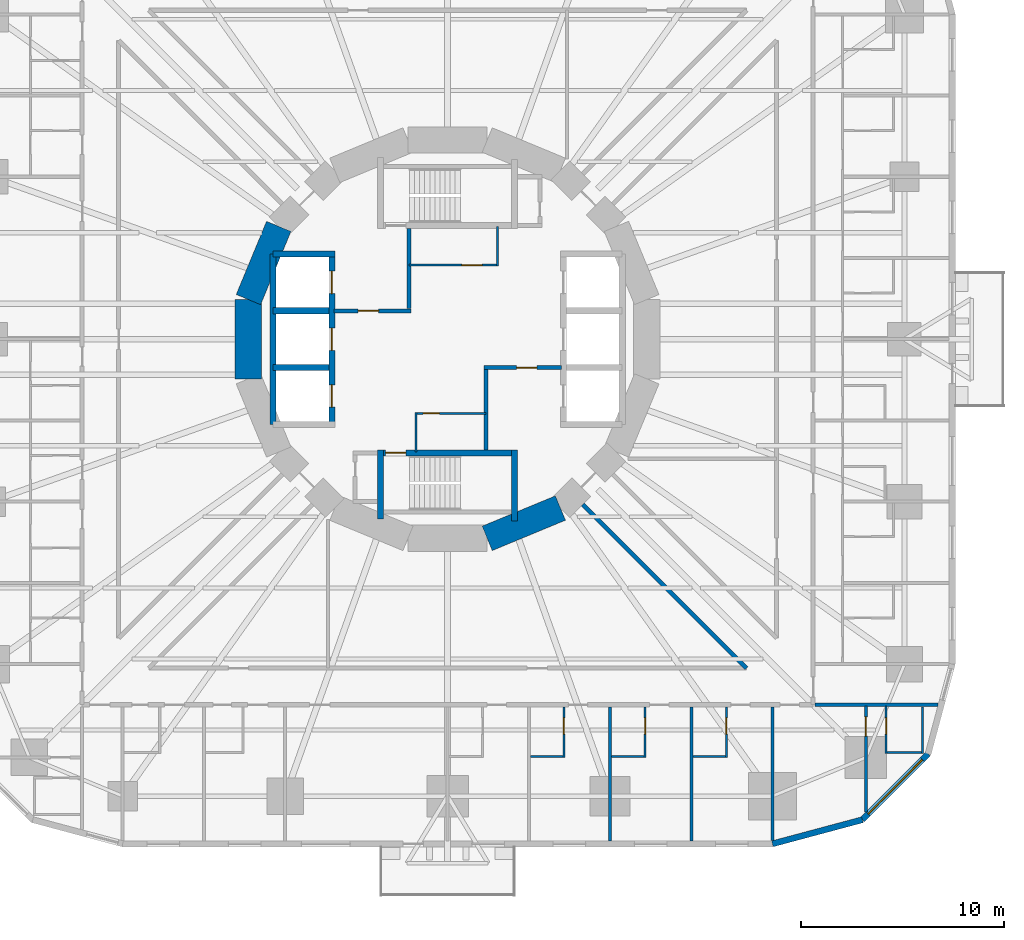
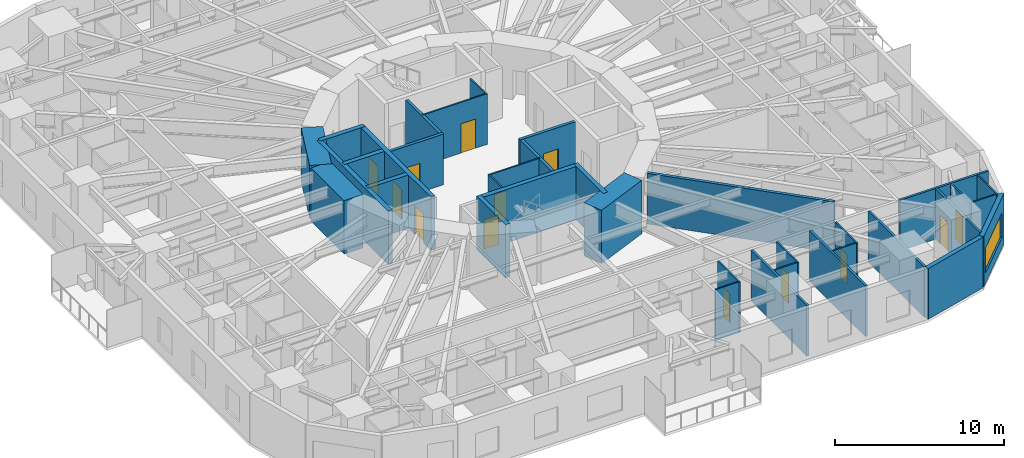
# One storey, part 7 of 14: 36 walls, 13 doors, 1 window, 14 openings.
"""IFC4 building model written with IfcOpenShell, lengths in metres."""

from ifc_helpers import new_model, si_unit, direction, frame, frame_2d, origin, place, context, subcontext, project, spatial, rectangle, extrude, material, layer, layer_set, type_object, element, fill, save


model = new_model("IFC4")

# Units and contexts
model_context = context("Model", 3, precision=1e-05, world=origin(), true_north=direction((0.0, 1.0)))
body_context = subcontext(model_context, "Body", "Model", "MODEL_VIEW")
ifc_project = project(units=[si_unit("LENGTHUNIT", "METRE"), si_unit("AREAUNIT", "SQUARE_METRE"), si_unit("VOLUMEUNIT", "CUBIC_METRE"), si_unit("PLANEANGLEUNIT", "RADIAN"), si_unit("MASSUNIT", "GRAM", prefix="KILO")], contexts=[model_context])

# Site, building, storey
site_placement = place(None, origin())
site = spatial("IfcSite", under=ifc_project, at=site_placement, CompositionType="ELEMENT")
building_placement = place(site_placement, origin())
building = spatial("IfcBuilding", under=site, at=building_placement, Name="Nakasero Lantern House", CompositionType="ELEMENT")
storey_placement = place(building_placement, frame((0.0, 0.0, 46.800048828125)))
storey = spatial("IfcBuildingStorey", under=building, at=storey_placement, Name="L11", CompositionType="ELEMENT", Elevation=46.800048828125)

# Wall, openings, doors
ifc_material_1 = material(Name="Concrete C50/60", Category="concrete")
ifc_layer_1 = layer(ifc_material_1, 0.300048828125)
ifc_layer_set_1 = layer_set([ifc_layer_1], Name="Core inner wall 300")
wall_type_1 = type_object("IfcWallType", Name="Core inner wall 300", PredefinedType="SHEAR", material=ifc_layer_set_1)
wall_1_placement = place(storey_placement, frame((-5.699951171875, -4.199951171875, 0.0), z_axis=(0.0, 0.0, 1.0), x_axis=(0.0, 1.0, 0.0)))
wall_1 = element("IfcWall", 1, at=wall_1_placement, inside=storey, type_object=wall_type_1, Name="Core inner wall L11 LW", PredefinedType="SHEAR", context=body_context, shape_type="SweptSolid", body=[
    extrude(rectangle(XDim=8.39990234375, YDim=0.300048828125, at=frame_2d((4.199951171875, 0.0))), origin(), (0.0, 0.0, 1.0), 3.849853515625),
])
opening_1_placement = place(wall_1_placement, frame((0.85009765625, 0.0, 0.0)))
opening_1 = element("IfcOpeningElement", 2, at=opening_1_placement, cuts=wall_1, Name="Opening LD", PredefinedType="OPENING", context=body_context, shape_type="SweptSolid", body=[
    extrude(rectangle(XDim=1.10009765625, YDim=2.10009765625, at=frame_2d((0.550048828125, 1.050048828125))), frame((0.0, 0.169921875, 0.0), z_axis=(0.0, -1.0, 0.0), x_axis=(1.0, 0.0, 0.0)), (0.0, 0.0, 1.0), 0.340087890625),
])
opening_2_placement = place(wall_1_placement, frame((3.64990234375, 0.0, 0.0)))
opening_2 = element("IfcOpeningElement", 3, at=opening_2_placement, cuts=wall_1, Name="Opening LD", PredefinedType="OPENING", context=body_context, shape_type="SweptSolid", body=[
    extrude(rectangle(XDim=1.10009765625, YDim=2.10009765625, at=frame_2d((0.550048828125, 1.050048828125))), frame((0.0, 0.169921875, 0.0), z_axis=(0.0, -1.0, 0.0), x_axis=(1.0, 0.0, 0.0)), (0.0, 0.0, 1.0), 0.340087890625),
])
opening_3_placement = place(wall_1_placement, frame((6.449951171875, 0.0, 0.0)))
opening_3 = element("IfcOpeningElement", 4, at=opening_3_placement, cuts=wall_1, Name="Opening LD", PredefinedType="OPENING", context=body_context, shape_type="SweptSolid", body=[
    extrude(rectangle(XDim=1.10009765625, YDim=2.10009765625, at=frame_2d((0.550048828125, 1.050048828125))), frame((0.0, 0.169921875, 0.0), z_axis=(0.0, -1.0, 0.0), x_axis=(1.0, 0.0, 0.0)), (0.0, 0.0, 1.0), 0.340087890625),
])
ifc_material_2 = material(Name="Steel S355", Category="steel")
door_type_1 = type_object("IfcDoorType", Name="Lift landing door E120 1100", OperationType="SLIDING_TO_LEFT", PredefinedType="DOOR", material=ifc_material_2)
door_1_placement = place(opening_1_placement, origin())
door_1 = element("IfcDoor", 5, at=door_1_placement, inside=storey, type_object=door_type_1, Name="Lift landing door LW1", OperationType="SLIDING_TO_LEFT", OverallHeight=2.10009765625, OverallWidth=1.10009765625, PredefinedType="DOOR", context=body_context, shape_type="SweptSolid", body=[
    extrude(rectangle(XDim=1.10009765625, YDim=2.10009765625, at=frame_2d((0.550048828125, 1.050048828125))), frame((0.0, 0.02490234375, 0.0), z_axis=(0.0, -1.0, 0.0), x_axis=(1.0, 0.0, 0.0)), (0.0, 0.0, 1.0), 0.050048828125),
])
fill(opening_1, door_1)
door_2_placement = place(opening_2_placement, origin())
door_2 = element("IfcDoor", 6, at=door_2_placement, inside=storey, type_object=door_type_1, Name="Lift landing door LW2", OperationType="SLIDING_TO_LEFT", OverallHeight=2.10009765625, OverallWidth=1.10009765625, PredefinedType="DOOR", context=body_context, shape_type="SweptSolid", body=[
    extrude(rectangle(XDim=1.10009765625, YDim=2.10009765625, at=frame_2d((0.550048828125, 1.050048828125))), frame((0.0, 0.02490234375, 0.0), z_axis=(0.0, -1.0, 0.0), x_axis=(1.0, 0.0, 0.0)), (0.0, 0.0, 1.0), 0.050048828125),
])
fill(opening_2, door_2)
door_3_placement = place(opening_3_placement, origin())
door_3 = element("IfcDoor", 7, at=door_3_placement, inside=storey, type_object=door_type_1, Name="Lift landing door LW3", OperationType="SLIDING_TO_LEFT", OverallHeight=2.10009765625, OverallWidth=1.10009765625, PredefinedType="DOOR", context=body_context, shape_type="SweptSolid", body=[
    extrude(rectangle(XDim=1.10009765625, YDim=2.10009765625, at=frame_2d((0.550048828125, 1.050048828125))), frame((0.0, 0.02490234375, 0.0), z_axis=(0.0, -1.0, 0.0), x_axis=(1.0, 0.0, 0.0)), (0.0, 0.0, 1.0), 0.050048828125),
])
fill(opening_3, door_3)

# Walls
wall_2_placement = place(storey_placement, frame((-8.60009765625, 4.199951171875, 0.0), z_axis=(0.0, 0.0, 1.0), x_axis=(1.0, 0.0, 0.0)))
element("IfcWall", 8, at=wall_2_placement, inside=storey, type_object=wall_type_1, Name="Core inner wall L11 LWN", PredefinedType="SHEAR", context=body_context, shape_type="SweptSolid", body=[
    extrude(rectangle(XDim=3.050048828125, YDim=0.300048828125, at=frame_2d((1.52490234375, 0.0))), origin(), (0.0, 0.0, 1.0), 3.849853515625),
])
wall_3_placement = place(storey_placement, frame((-8.60009765625, -4.199951171875, 0.0), z_axis=(0.0, 0.0, 1.0), x_axis=(0.0, 1.0, 0.0)))
element("IfcWall", 9, at=wall_3_placement, inside=storey, type_object=wall_type_1, Name="Core inner wall L11 LWB", PredefinedType="SHEAR", context=body_context, shape_type="SweptSolid", body=[
    extrude(rectangle(XDim=8.39990234375, YDim=0.300048828125, at=frame_2d((4.199951171875, 0.0))), origin(), (0.0, 0.0, 1.0), 3.849853515625),
])
for number, where, z_axis, x_axis, name in (
    (10, (-8.60009765625, -1.39990234375, 0.0), (0.0, 0.0, 1.0), (1.0, 0.0, 0.0), "Core inner wall L11 LW1"),
    (11, (-8.60009765625, 1.39990234375, 0.0), (0.0, 0.0, 1.0), (1.0, 0.0, 0.0), "Core inner wall L11 LW2"),
):
    element("IfcWall", number, at=place(storey_placement, frame(where, z_axis=z_axis, x_axis=x_axis)), inside=storey, type_object=wall_type_1, Name=name, PredefinedType="SHEAR", context=body_context, shape_type="SweptSolid", body=[
        extrude(rectangle(XDim=2.75, YDim=0.300048828125, at=frame_2d((1.375, 0.0))), origin(), (0.0, 0.0, 1.0), 3.849853515625),
    ])

# Wall, opening, door
wall_4_placement = place(storey_placement, frame((-3.449951171875, -5.60009765625, 0.0), z_axis=(0.0, 0.0, 1.0), x_axis=(1.0, 0.0, 0.0)))
wall_4 = element("IfcWall", 12, at=wall_4_placement, inside=storey, type_object=wall_type_1, Name="Core inner wall L11 SS", PredefinedType="SHEAR", context=body_context, shape_type="SweptSolid", body=[
    extrude(rectangle(XDim=6.89990234375, YDim=0.300048828125, at=frame_2d((3.449951171875, 0.0))), origin(), (0.0, 0.0, 1.0), 3.849853515625),
])
opening_4_placement = place(wall_4_placement, frame((0.39990234375, 0.0, 0.0)))
opening_4 = element("IfcOpeningElement", 13, at=opening_4_placement, cuts=wall_4, Name="Opening D05", PredefinedType="OPENING", context=body_context, shape_type="SweptSolid", body=[
    extrude(rectangle(XDim=1.0, YDim=2.10009765625, at=frame_2d((0.5, 1.050048828125))), frame((0.0, 0.169921875, 0.0), z_axis=(0.0, -1.0, 0.0), x_axis=(1.0, 0.0, 0.0)), (0.0, 0.0, 1.0), 0.340087890625),
])
ifc_material_3 = material(Name="Timber C24", Category="wood")
door_type_2 = type_object("IfcDoorType", Name="Core door FD60S 1000", OperationType="SINGLE_SWING_LEFT", PredefinedType="DOOR", material=ifc_material_3)
door_4_placement = place(opening_4_placement, origin())
door_4 = element("IfcDoor", 14, at=door_4_placement, inside=storey, type_object=door_type_2, Name="Door L11 D-ST2", OperationType="SINGLE_SWING_LEFT", OverallHeight=2.10009765625, OverallWidth=1.0, PredefinedType="DOOR", context=body_context, shape_type="SweptSolid", body=[
    extrude(rectangle(XDim=1.0, YDim=2.10009765625, at=frame_2d((0.5, 1.050048828125))), frame((0.0, 0.02490234375, 0.0), z_axis=(0.0, -1.0, 0.0), x_axis=(1.0, 0.0, 0.0)), (0.0, 0.0, 1.0), 0.050048828125),
])
fill(opening_4, door_4)

# Walls
wall_5_placement = place(storey_placement, frame((-3.300048828125, -5.449951171875, 0.0), z_axis=(0.0, 0.0, 1.0), x_axis=(0.0, -1.0, 0.0)))
element("IfcWall", 15, at=wall_5_placement, inside=storey, type_object=wall_type_1, Name="Core inner wall L11 SSW", PredefinedType="SHEAR", context=body_context, shape_type="SweptSolid", body=[
    extrude(rectangle(XDim=3.400146484375, YDim=0.300048828125, at=frame_2d((1.7001953125, 0.0))), origin(), (0.0, 0.0, 1.0), 3.849853515625),
])
wall_6_placement = place(storey_placement, frame((3.300048828125, -5.449951171875, 0.0), z_axis=(0.0, 0.0, 1.0), x_axis=(0.0, -1.0, 0.0)))
element("IfcWall", 16, at=wall_6_placement, inside=storey, type_object=wall_type_1, Name="Core inner wall L11 SSE", PredefinedType="SHEAR", context=body_context, shape_type="SweptSolid", body=[
    extrude(rectangle(XDim=3.5, YDim=0.300048828125, at=frame_2d((1.75, 0.0))), origin(), (0.0, 0.0, 1.0), 3.849853515625),
])

# Wall, opening, door
ifc_material_4 = material(Name="Blockwork", Category="masonry")
ifc_layer_2 = layer(ifc_material_4, 0.10009765625)
ifc_layer_set_2 = layer_set([ifc_layer_2], Name="Core room wall 100")
wall_type_2 = type_object("IfcWallType", Name="Core room wall 100", PredefinedType="PARTITIONING", material=ifc_layer_set_2)
wall_7_placement = place(storey_placement, frame((-1.89990234375, 3.64990234375, 0.0), z_axis=(0.0, 0.0, 1.0), x_axis=(1.0, 0.0, 0.0)))
wall_7 = element("IfcWall", 17, at=wall_7_placement, inside=storey, type_object=wall_type_2, Name="Core room wall L11 CR-NES", PredefinedType="PARTITIONING", context=body_context, shape_type="SweptSolid", body=[
    extrude(rectangle(XDim=4.39990234375, YDim=0.10009765625, at=frame_2d((2.199951171875, 0.0))), origin(), (0.0, 0.0, 1.0), 3.64990234375),
])
opening_5_placement = place(wall_7_placement, frame((2.60009765625, 0.0, 0.0)))
opening_5 = element("IfcOpeningElement", 18, at=opening_5_placement, cuts=wall_7, Name="Opening D07", PredefinedType="OPENING", context=body_context, shape_type="SweptSolid", body=[
    extrude(rectangle(XDim=1.0, YDim=2.10009765625, at=frame_2d((0.5, 1.050048828125))), frame((0.0, 0.070068359375, 0.0), z_axis=(0.0, -1.0, 0.0), x_axis=(1.0, 0.0, 0.0)), (0.0, 0.0, 1.0), 0.14013671875),
])
ifc_material_5 = material(Name="Timber C24", Category="wood")
door_type_3 = type_object("IfcDoorType", Name="Room door FD30S 1000", OperationType="SINGLE_SWING_LEFT", PredefinedType="DOOR", material=ifc_material_5)
door_5_placement = place(opening_5_placement, origin())
door_5 = element("IfcDoor", 19, at=door_5_placement, inside=storey, type_object=door_type_3, Name="Door L11 D-CR-NE", OperationType="SINGLE_SWING_RIGHT", OverallHeight=2.10009765625, OverallWidth=1.0, PredefinedType="DOOR", context=body_context, shape_type="SweptSolid", body=[
    extrude(rectangle(XDim=1.0, YDim=2.10009765625, at=frame_2d((0.5, 1.050048828125))), frame((0.0, 0.02490234375, 0.0), z_axis=(0.0, -1.0, 0.0), x_axis=(1.0, 0.0, 0.0)), (0.0, 0.0, 1.0), 0.050048828125),
])
fill(opening_5, door_5)

# Wall
wall_8_placement = place(storey_placement, frame((2.449951171875, 3.60009765625, 0.0), z_axis=(0.0, 0.0, 1.0), x_axis=(0.0, 1.0, 0.0)))
element("IfcWall", 20, at=wall_8_placement, inside=storey, type_object=wall_type_2, Name="Core room wall L11 CR-NEE", PredefinedType="PARTITIONING", context=body_context, shape_type="SweptSolid", body=[
    extrude(rectangle(XDim=1.949951171875, YDim=0.10009765625, at=frame_2d((0.97509765625, 0.0))), origin(), (0.0, 0.0, 1.0), 3.64990234375),
])

# Wall, opening, door
wall_9_placement = place(storey_placement, frame((-1.60009765625, -3.64990234375, 0.0), z_axis=(0.0, 0.0, 1.0), x_axis=(1.0, 0.0, 0.0)))
wall_9 = element("IfcWall", 21, at=wall_9_placement, inside=storey, type_object=wall_type_2, Name="Core room wall L11 CR-SWN", PredefinedType="PARTITIONING", context=body_context, shape_type="SweptSolid", body=[
    extrude(rectangle(XDim=3.5, YDim=0.10009765625, at=frame_2d((1.75, 0.0))), origin(), (0.0, 0.0, 1.0), 3.64990234375),
])
opening_6_placement = place(wall_9_placement, frame((0.39990234375, 0.0, 0.0)))
opening_6 = element("IfcOpeningElement", 22, at=opening_6_placement, cuts=wall_9, Name="Opening D15", PredefinedType="OPENING", context=body_context, shape_type="SweptSolid", body=[
    extrude(rectangle(XDim=0.800048828125, YDim=2.10009765625, at=frame_2d((0.39990234375, 1.050048828125))), frame((0.0, 0.070068359375, 0.0), z_axis=(0.0, -1.0, 0.0), x_axis=(1.0, 0.0, 0.0)), (0.0, 0.0, 1.0), 0.14013671875),
])
ifc_material_6 = material(Name="Timber C24", Category="wood")
door_type_4 = type_object("IfcDoorType", Name="Cleaner's store door FD30S 800", OperationType="SINGLE_SWING_LEFT", PredefinedType="DOOR", material=ifc_material_6)
door_6_placement = place(opening_6_placement, origin())
door_6 = element("IfcDoor", 23, at=door_6_placement, inside=storey, type_object=door_type_4, Name="Door L11 D-CR-SW", OperationType="SINGLE_SWING_LEFT", OverallHeight=2.10009765625, OverallWidth=0.800048828125, PredefinedType="DOOR", context=body_context, shape_type="SweptSolid", body=[
    extrude(rectangle(XDim=0.800048828125, YDim=2.10009765625, at=frame_2d((0.39990234375, 1.050048828125))), frame((0.0, 0.02490234375, 0.0), z_axis=(0.0, -1.0, 0.0), x_axis=(1.0, 0.0, 0.0)), (0.0, 0.0, 1.0), 0.050048828125),
])
fill(opening_6, door_6)

# Walls
wall_10_placement = place(storey_placement, frame((-1.550048828125, -5.550048828125, 0.0), z_axis=(0.0, 0.0, 1.0), x_axis=(0.0, 1.0, 0.0)))
element("IfcWall", 24, at=wall_10_placement, inside=storey, type_object=wall_type_2, Name="Core room wall L11 CR-SWW", PredefinedType="PARTITIONING", context=body_context, shape_type="SweptSolid", body=[
    extrude(rectangle(XDim=1.949951171875, YDim=0.10009765625, at=frame_2d((0.97509765625, 0.0))), origin(), (0.0, 0.0, 1.0), 3.64990234375),
])
ifc_material_7 = material(Name="Concrete C50/60", Category="concrete")
ifc_layer_3 = layer(ifc_material_7, 1.300048828125)
ifc_layer_set_3 = layer_set([ifc_layer_3], Name="Core wall 1300")
wall_type_3 = type_object("IfcWallType", Name="Core wall 1300", PredefinedType="SHEAR", material=ifc_layer_set_3)
for number, where, z_axis, x_axis, name in (
    (25, (-8.314697265625, 5.5556640625, 0.0), (0.0, 0.0, 1.0), (-0.382690736062, -0.923876507187, 0.0), "Core wall L11 facet 7"),
    (26, (-9.807861328125, 1.950927734375, 0.0), (0.0, 0.0, 1.0), (0.0, -1.0, 0.0), "Core wall L11 facet 8"),
    (27, (1.950927734375, -9.807861328125, 0.0), (0.0, 0.0, 1.0), (0.923876507187, 0.382690736062, 0.0), "Core wall L11 facet 13"),
):
    element("IfcWall", number, at=place(storey_placement, frame(where, z_axis=z_axis, x_axis=x_axis)), inside=storey, type_object=wall_type_3, Name=name, PredefinedType="SHEAR", context=body_context, shape_type="SweptSolid", body=[
        extrude(rectangle(XDim=3.90185546875, YDim=1.300048828125, at=frame_2d((1.950927734375, 0.0))), origin(), (0.0, 0.0, 1.0), 3.849853515625),
    ])
ifc_material_8 = material(Name="Blockwork", Category="masonry")
ifc_layer_4 = layer(ifc_material_8, 0.199951171875)
ifc_layer_set_4 = layer_set([ifc_layer_4], Name="Corridor wall 200")
wall_type_4 = type_object("IfcWallType", Name="Corridor wall 200", PredefinedType="PARTITIONING", material=ifc_layer_set_4)
wall_11_placement = place(storey_placement, frame((6.65234375, -8.13720703125, 0.0), z_axis=(0.0, 0.0, 1.0), x_axis=(0.707106781187, -0.707106781187, 0.0)))
element("IfcWall", 28, at=wall_11_placement, inside=storey, type_object=wall_type_4, Name="Corridor wall L11 PS14b", PredefinedType="PARTITIONING", context=body_context, shape_type="SweptSolid", body=[
    extrude(rectangle(XDim=11.40234375, YDim=0.199951171875, at=frame_2d((5.701171875, 0.0))), origin(), (0.0, 0.0, 1.0), 3.64990234375),
])

# Wall, opening, door
ifc_material_9 = material(Name="Blockwork", Category="masonry")
ifc_layer_5 = layer(ifc_material_9, 0.10009765625)
ifc_layer_set_5 = layer_set([ifc_layer_5], Name="En-suite wall 100")
wall_type_5 = type_object("IfcWallType", Name="En-suite wall 100", PredefinedType="PARTITIONING", material=ifc_layer_set_5)
wall_12_placement = place(storey_placement, frame((5.72509765625, -18.10009765625, 0.0), z_axis=(0.0, 0.0, 1.0), x_axis=(0.0, -1.0, 0.0)))
wall_12 = element("IfcWall", 29, at=wall_12_placement, inside=storey, type_object=wall_type_5, Name="En-suite wall L11 ES3-06", PredefinedType="PARTITIONING", context=body_context, shape_type="SweptSolid", body=[
    extrude(rectangle(XDim=2.5, YDim=0.10009765625, at=frame_2d((1.25, 0.0))), origin(), (0.0, 0.0, 1.0), 3.64990234375),
])
opening_7_placement = place(wall_12_placement, frame((0.550048828125, 0.0, 0.0)))
opening_7 = element("IfcOpeningElement", 30, at=opening_7_placement, cuts=wall_12, Name="Opening D02", PredefinedType="OPENING", context=body_context, shape_type="SweptSolid", body=[
    extrude(rectangle(XDim=0.800048828125, YDim=2.10009765625, at=frame_2d((0.39990234375, 1.050048828125))), frame((0.0, 0.070068359375, 0.0), z_axis=(0.0, -1.0, 0.0), x_axis=(1.0, 0.0, 0.0)), (0.0, 0.0, 1.0), 0.14013671875),
])
ifc_material_10 = material(Name="Timber C24", Category="wood")
door_type_5 = type_object("IfcDoorType", Name="En-suite door 800", OperationType="SINGLE_SWING_RIGHT", PredefinedType="DOOR", material=ifc_material_10)
door_7_placement = place(opening_7_placement, origin())
door_7 = element("IfcDoor", 31, at=door_7_placement, inside=storey, type_object=door_type_5, Name="Door L11 DE3-06", OperationType="SINGLE_SWING_LEFT", OverallHeight=2.10009765625, OverallWidth=0.800048828125, PredefinedType="DOOR", context=body_context, shape_type="SweptSolid", body=[
    extrude(rectangle(XDim=0.800048828125, YDim=2.10009765625, at=frame_2d((0.39990234375, 1.050048828125))), frame((0.0, 0.02490234375, 0.0), z_axis=(0.0, -1.0, 0.0), x_axis=(1.0, 0.0, 0.0)), (0.0, 0.0, 1.0), 0.050048828125),
])
fill(opening_7, door_7)

# Wall
wall_13_placement = place(storey_placement, frame((4.074951171875, -20.550048828125, 0.0), z_axis=(0.0, 0.0, 1.0), x_axis=(1.0, 0.0, 0.0)))
element("IfcWall", 32, at=wall_13_placement, inside=storey, type_object=wall_type_5, Name="En-suite wall L11 EE3-06", PredefinedType="PARTITIONING", context=body_context, shape_type="SweptSolid", body=[
    extrude(rectangle(XDim=1.60009765625, YDim=0.10009765625, at=frame_2d((0.800048828125, 0.0))), origin(), (0.0, 0.0, 1.0), 3.64990234375),
])

# Wall, opening, door
wall_14_placement = place(storey_placement, frame((9.72509765625, -18.10009765625, 0.0), z_axis=(0.0, 0.0, 1.0), x_axis=(0.0, -1.0, 0.0)))
wall_14 = element("IfcWall", 33, at=wall_14_placement, inside=storey, type_object=wall_type_5, Name="En-suite wall L11 ES3-07", PredefinedType="PARTITIONING", context=body_context, shape_type="SweptSolid", body=[
    extrude(rectangle(XDim=2.5, YDim=0.10009765625, at=frame_2d((1.25, 0.0))), origin(), (0.0, 0.0, 1.0), 3.64990234375),
])
opening_8_placement = place(wall_14_placement, frame((0.550048828125, 0.0, 0.0)))
opening_8 = element("IfcOpeningElement", 34, at=opening_8_placement, cuts=wall_14, Name="Opening D02", PredefinedType="OPENING", context=body_context, shape_type="SweptSolid", body=[
    extrude(rectangle(XDim=0.800048828125, YDim=2.10009765625, at=frame_2d((0.39990234375, 1.050048828125))), frame((0.0, 0.070068359375, 0.0), z_axis=(0.0, -1.0, 0.0), x_axis=(1.0, 0.0, 0.0)), (0.0, 0.0, 1.0), 0.14013671875),
])
door_8_placement = place(opening_8_placement, origin())
door_8 = element("IfcDoor", 35, at=door_8_placement, inside=storey, type_object=door_type_5, Name="Door L11 DE3-07", OperationType="SINGLE_SWING_LEFT", OverallHeight=2.10009765625, OverallWidth=0.800048828125, PredefinedType="DOOR", context=body_context, shape_type="SweptSolid", body=[
    extrude(rectangle(XDim=0.800048828125, YDim=2.10009765625, at=frame_2d((0.39990234375, 1.050048828125))), frame((0.0, 0.02490234375, 0.0), z_axis=(0.0, -1.0, 0.0), x_axis=(1.0, 0.0, 0.0)), (0.0, 0.0, 1.0), 0.050048828125),
])
fill(opening_8, door_8)

# Wall
wall_15_placement = place(storey_placement, frame((8.074951171875, -20.550048828125, 0.0), z_axis=(0.0, 0.0, 1.0), x_axis=(1.0, 0.0, 0.0)))
element("IfcWall", 36, at=wall_15_placement, inside=storey, type_object=wall_type_5, Name="En-suite wall L11 EE3-07", PredefinedType="PARTITIONING", context=body_context, shape_type="SweptSolid", body=[
    extrude(rectangle(XDim=1.60009765625, YDim=0.10009765625, at=frame_2d((0.800048828125, 0.0))), origin(), (0.0, 0.0, 1.0), 3.64990234375),
])

# Wall, opening, door
wall_16_placement = place(storey_placement, frame((13.72509765625, -18.10009765625, 0.0), z_axis=(0.0, 0.0, 1.0), x_axis=(0.0, -1.0, 0.0)))
wall_16 = element("IfcWall", 37, at=wall_16_placement, inside=storey, type_object=wall_type_5, Name="En-suite wall L11 ES3-08", PredefinedType="PARTITIONING", context=body_context, shape_type="SweptSolid", body=[
    extrude(rectangle(XDim=2.5, YDim=0.10009765625, at=frame_2d((1.25, 0.0))), origin(), (0.0, 0.0, 1.0), 3.64990234375),
])
opening_9_placement = place(wall_16_placement, frame((0.550048828125, 0.0, 0.0)))
opening_9 = element("IfcOpeningElement", 38, at=opening_9_placement, cuts=wall_16, Name="Opening D02", PredefinedType="OPENING", context=body_context, shape_type="SweptSolid", body=[
    extrude(rectangle(XDim=0.800048828125, YDim=2.10009765625, at=frame_2d((0.39990234375, 1.050048828125))), frame((0.0, 0.070068359375, 0.0), z_axis=(0.0, -1.0, 0.0), x_axis=(1.0, 0.0, 0.0)), (0.0, 0.0, 1.0), 0.14013671875),
])
door_9_placement = place(opening_9_placement, origin())
door_9 = element("IfcDoor", 39, at=door_9_placement, inside=storey, type_object=door_type_5, Name="Door L11 DE3-08", OperationType="SINGLE_SWING_LEFT", OverallHeight=2.10009765625, OverallWidth=0.800048828125, PredefinedType="DOOR", context=body_context, shape_type="SweptSolid", body=[
    extrude(rectangle(XDim=0.800048828125, YDim=2.10009765625, at=frame_2d((0.39990234375, 1.050048828125))), frame((0.0, 0.02490234375, 0.0), z_axis=(0.0, -1.0, 0.0), x_axis=(1.0, 0.0, 0.0)), (0.0, 0.0, 1.0), 0.050048828125),
])
fill(opening_9, door_9)

# Wall
wall_17_placement = place(storey_placement, frame((12.074951171875, -20.550048828125, 0.0), z_axis=(0.0, 0.0, 1.0), x_axis=(1.0, 0.0, 0.0)))
element("IfcWall", 40, at=wall_17_placement, inside=storey, type_object=wall_type_5, Name="En-suite wall L11 EE3-08", PredefinedType="PARTITIONING", context=body_context, shape_type="SweptSolid", body=[
    extrude(rectangle(XDim=1.60009765625, YDim=0.10009765625, at=frame_2d((0.800048828125, 0.0))), origin(), (0.0, 0.0, 1.0), 3.64990234375),
])

# Wall, opening, door
wall_18_placement = place(storey_placement, frame((21.59619140625, -18.06494140625, 0.0), z_axis=(0.0, 0.0, 1.0), x_axis=(0.0, -1.0, 0.0)))
wall_18 = element("IfcWall", 41, at=wall_18_placement, inside=storey, type_object=wall_type_5, Name="En-suite wall L11 ES3-09", PredefinedType="PARTITIONING", context=body_context, shape_type="SweptSolid", body=[
    extrude(rectangle(XDim=2.3349609375, YDim=0.10009765625, at=frame_2d((1.16748046875, 0.0))), origin(), (0.0, 0.0, 1.0), 3.64990234375),
])
opening_10_placement = place(wall_18_placement, frame((0.5849609375, 0.0, 0.0)))
opening_10 = element("IfcOpeningElement", 42, at=opening_10_placement, cuts=wall_18, Name="Opening D02", PredefinedType="OPENING", context=body_context, shape_type="SweptSolid", body=[
    extrude(rectangle(XDim=0.800048828125, YDim=2.10009765625, at=frame_2d((0.39990234375, 1.050048828125))), frame((0.0, 0.070068359375, 0.0), z_axis=(0.0, -1.0, 0.0), x_axis=(1.0, 0.0, 0.0)), (0.0, 0.0, 1.0), 0.14013671875),
])
door_10_placement = place(opening_10_placement, origin())
door_10 = element("IfcDoor", 43, at=door_10_placement, inside=storey, type_object=door_type_5, Name="Door L11 DE3-09", OperationType="SINGLE_SWING_LEFT", OverallHeight=2.10009765625, OverallWidth=0.800048828125, PredefinedType="DOOR", context=body_context, shape_type="SweptSolid", body=[
    extrude(rectangle(XDim=0.800048828125, YDim=2.10009765625, at=frame_2d((0.39990234375, 1.050048828125))), frame((0.0, 0.02490234375, 0.0), z_axis=(0.0, -1.0, 0.0), x_axis=(1.0, 0.0, 0.0)), (0.0, 0.0, 1.0), 0.050048828125),
])
fill(opening_10, door_10)

# Walls
wall_19_placement = place(storey_placement, frame((21.646240234375, -20.35009765625, 0.0), z_axis=(0.0, 0.0, 1.0), x_axis=(1.0, 0.0, 0.0)))
element("IfcWall", 44, at=wall_19_placement, inside=storey, type_object=wall_type_5, Name="En-suite wall L11 EE3-09", PredefinedType="PARTITIONING", context=body_context, shape_type="SweptSolid", body=[
    extrude(rectangle(XDim=1.699951171875, YDim=0.10009765625, at=frame_2d((0.85009765625, 0.0))), origin(), (0.0, 0.0, 1.0), 3.64990234375),
])
wall_20_placement = place(storey_placement, frame((23.396240234375, -18.10009765625, 0.0), z_axis=(0.0, 0.0, 1.0), x_axis=(0.0, -1.0, 0.0)))
element("IfcWall", 45, at=wall_20_placement, inside=storey, type_object=wall_type_5, Name="En-suite wall L11 EV3-09", PredefinedType="PARTITIONING", context=body_context, shape_type="SweptSolid", body=[
    extrude(rectangle(XDim=2.2998046875, YDim=0.10009765625, at=frame_2d((1.14990234375, 0.0))), origin(), (0.0, 0.0, 1.0), 3.64990234375),
])
ifc_material_11 = material(Name="Aluminium rainscreen on blockwork", Category="masonry")
ifc_layer_6 = layer(ifc_material_11, 0.300048828125)
ifc_layer_set_6 = layer_set([ifc_layer_6], Name="Facade wall 300")
wall_type_6 = type_object("IfcWallType", Name="Facade wall 300", PredefinedType="SOLIDWALL", material=ifc_layer_set_6)
wall_21_placement = place(storey_placement, frame((16.0, -24.85009765625, 0.0), z_axis=(0.0, 0.0, 1.0), x_axis=(0.965920218567, 0.258839972501, 0.0)))
element("IfcWall", 46, at=wall_21_placement, inside=storey, type_object=wall_type_6, Name="Facade wall L11 FW3C1", PredefinedType="SOLIDWALL", context=body_context, shape_type="SweptSolid", body=[
    extrude(rectangle(XDim=4.5810546875, YDim=0.300048828125, at=frame_2d((2.29052734375, 0.0))), origin(), (0.0, 0.0, 1.0), 3.64990234375),
])

# Wall, opening, window
wall_22_placement = place(storey_placement, frame((20.425048828125, -23.664306640625, 0.0), z_axis=(0.0, 0.0, 1.0), x_axis=(0.707106781187, 0.707106781187, 0.0)))
wall_22 = element("IfcWall", 47, at=wall_22_placement, inside=storey, type_object=wall_type_6, Name="Facade wall L11 FW3C2", PredefinedType="SOLIDWALL", context=body_context, shape_type="SweptSolid", body=[
    extrude(rectangle(XDim=4.5810546875, YDim=0.300048828125, at=frame_2d((2.29052734375, 0.0))), origin(), (0.0, 0.0, 1.0), 3.64990234375),
])
opening_11_placement = place(wall_22_placement, frame((0.39990234375, 0.0, 0.75)))
opening_11 = element("IfcOpeningElement", 48, at=opening_11_placement, cuts=wall_22, Name="Opening W237", PredefinedType="OPENING", context=body_context, shape_type="SweptSolid", body=[
    extrude(rectangle(XDim=3.781005859375, YDim=1.800048828125, at=frame_2d((1.890625, 0.89990234375))), frame((0.0, 0.169921875, 0.0), z_axis=(0.0, -1.0, 0.0), x_axis=(1.0, 0.0, 0.0)), (0.0, 0.0, 1.0), 0.340087890625),
])
ifc_material_12 = material(Name="Aluminium 6063-T6 and glass", Category="aluminium")
window_type = type_object("IfcWindowType", Name="Corner window 3781x1800", PartitioningType="SINGLE_PANEL", PredefinedType="WINDOW", material=ifc_material_12)
window_placement = place(opening_11_placement, origin())
window = element("IfcWindow", 49, at=window_placement, inside=storey, type_object=window_type, Name="Window L11 WC3", OverallHeight=1.800048828125, OverallWidth=3.781005859375, PartitioningType="SINGLE_PANEL", PredefinedType="WINDOW", context=body_context, shape_type="SweptSolid", body=[
    extrude(rectangle(XDim=3.781005859375, YDim=1.800048828125, at=frame_2d((1.890625, 0.89990234375))), frame((0.0, 0.030029296875, 0.0), z_axis=(0.0, -1.0, 0.0), x_axis=(1.0, 0.0, 0.0)), (0.0, 0.0, 1.0), 0.06005859375),
])
fill(opening_11, window)

# Wall, opening, door
ifc_material_13 = material(Name="Blockwork", Category="masonry")
ifc_layer_7 = layer(ifc_material_13, 0.199951171875)
ifc_layer_set_7 = layer_set([ifc_layer_7], Name="Fire lobby wall 200")
wall_type_7 = type_object("IfcWallType", Name="Fire lobby wall 200", PredefinedType="PARTITIONING", material=ifc_layer_set_7)
wall_23_placement = place(storey_placement, frame((-5.60009765625, 1.39990234375, 0.0), z_axis=(0.0, 0.0, 1.0), x_axis=(1.0, 0.0, 0.0)))
wall_23 = element("IfcWall", 50, at=wall_23_placement, inside=storey, type_object=wall_type_7, Name="Fire lobby wall L11 W-FL1S", PredefinedType="PARTITIONING", context=body_context, shape_type="SweptSolid", body=[
    extrude(rectangle(XDim=3.800048828125, YDim=0.199951171875, at=frame_2d((1.89990234375, 0.0))), origin(), (0.0, 0.0, 1.0), 3.64990234375),
])
opening_12_placement = place(wall_23_placement, frame((1.199951171875, 0.0, 0.0)))
opening_12 = element("IfcOpeningElement", 51, at=opening_12_placement, cuts=wall_23, Name="Opening D05", PredefinedType="OPENING", context=body_context, shape_type="SweptSolid", body=[
    extrude(rectangle(XDim=1.0, YDim=2.10009765625, at=frame_2d((0.5, 1.050048828125))), frame((0.0, 0.119873046875, 0.0), z_axis=(0.0, -1.0, 0.0), x_axis=(1.0, 0.0, 0.0)), (0.0, 0.0, 1.0), 0.239990234375),
])
door_11_placement = place(opening_12_placement, origin())
door_11 = element("IfcDoor", 52, at=door_11_placement, inside=storey, type_object=door_type_2, Name="Door L11 D-FL1", OperationType="SINGLE_SWING_LEFT", OverallHeight=2.10009765625, OverallWidth=1.0, PredefinedType="DOOR", context=body_context, shape_type="SweptSolid", body=[
    extrude(rectangle(XDim=1.0, YDim=2.10009765625, at=frame_2d((0.5, 1.050048828125))), frame((0.0, 0.02490234375, 0.0), z_axis=(0.0, -1.0, 0.0), x_axis=(1.0, 0.0, 0.0)), (0.0, 0.0, 1.0), 0.050048828125),
])
fill(opening_12, door_11)

# Wall
wall_24_placement = place(storey_placement, frame((-1.89990234375, 1.5, 0.0), z_axis=(0.0, 0.0, 1.0), x_axis=(0.0, 1.0, 0.0)))
element("IfcWall", 53, at=wall_24_placement, inside=storey, type_object=wall_type_7, Name="Fire lobby wall L11 W-FL1E", PredefinedType="PARTITIONING", context=body_context, shape_type="SweptSolid", body=[
    extrude(rectangle(XDim=3.949951171875, YDim=0.199951171875, at=frame_2d((1.97509765625, 0.0))), origin(), (0.0, 0.0, 1.0), 3.64990234375),
])

# Wall, opening, door
wall_25_placement = place(storey_placement, frame((5.60009765625, -1.39990234375, 0.0), z_axis=(0.0, 0.0, 1.0), x_axis=(-1.0, 0.0, 0.0)))
wall_25 = element("IfcWall", 54, at=wall_25_placement, inside=storey, type_object=wall_type_7, Name="Fire lobby wall L11 W-FL2N", PredefinedType="PARTITIONING", context=body_context, shape_type="SweptSolid", body=[
    extrude(rectangle(XDim=3.800048828125, YDim=0.199951171875, at=frame_2d((1.89990234375, 0.0))), origin(), (0.0, 0.0, 1.0), 3.64990234375),
])
opening_13_placement = place(wall_25_placement, frame((1.199951171875, 0.0, 0.0)))
opening_13 = element("IfcOpeningElement", 55, at=opening_13_placement, cuts=wall_25, Name="Opening D05", PredefinedType="OPENING", context=body_context, shape_type="SweptSolid", body=[
    extrude(rectangle(XDim=1.0, YDim=2.10009765625, at=frame_2d((0.5, 1.050048828125))), frame((0.0, 0.119873046875, 0.0), z_axis=(0.0, -1.0, 0.0), x_axis=(1.0, 0.0, 0.0)), (0.0, 0.0, 1.0), 0.239990234375),
])
door_12_placement = place(opening_13_placement, origin())
door_12 = element("IfcDoor", 56, at=door_12_placement, inside=storey, type_object=door_type_2, Name="Door L11 D-FL2", OperationType="SINGLE_SWING_LEFT", OverallHeight=2.10009765625, OverallWidth=1.0, PredefinedType="DOOR", context=body_context, shape_type="SweptSolid", body=[
    extrude(rectangle(XDim=1.0, YDim=2.10009765625, at=frame_2d((0.5, 1.050048828125))), frame((0.0, 0.02490234375, 0.0), z_axis=(0.0, -1.0, 0.0), x_axis=(1.0, 0.0, 0.0)), (0.0, 0.0, 1.0), 0.050048828125),
])
fill(opening_13, door_12)

# Walls
wall_26_placement = place(storey_placement, frame((1.89990234375, -1.5, 0.0), z_axis=(0.0, 0.0, 1.0), x_axis=(0.0, -1.0, 0.0)))
element("IfcWall", 57, at=wall_26_placement, inside=storey, type_object=wall_type_7, Name="Fire lobby wall L11 W-FL2W", PredefinedType="PARTITIONING", context=body_context, shape_type="SweptSolid", body=[
    extrude(rectangle(XDim=3.949951171875, YDim=0.199951171875, at=frame_2d((1.97509765625, 0.0))), origin(), (0.0, 0.0, 1.0), 3.64990234375),
])
ifc_material_14 = material(Name="Blockwork", Category="masonry")
ifc_layer_8 = layer(ifc_material_14, 0.14990234375)
ifc_layer_set_8 = layer_set([ifc_layer_8], Name="Party wall 150")
wall_type_8 = type_object("IfcWallType", Name="Party wall 150", PredefinedType="PARTITIONING", material=ifc_layer_set_8)
wall_27_placement = place(storey_placement, frame((18.10009765625, -18.0, 0.0), z_axis=(0.0, 0.0, 1.0), x_axis=(1.0, 0.0, 0.0)))
element("IfcWall", 58, at=wall_27_placement, inside=storey, type_object=wall_type_8, Name="Party wall L11 PW0-00", PredefinedType="PARTITIONING", context=body_context, shape_type="SweptSolid", body=[
    extrude(rectangle(XDim=6.053466796875, YDim=0.14990234375, at=frame_2d((3.02685546875, 0.0))), origin(), (0.0, 0.0, 1.0), 3.64990234375),
])
for number, where, z_axis, x_axis, name in (
    (59, (8.0, -18.10009765625, 0.0), (0.0, 0.0, 1.0), (0.0, -1.0, 0.0), "Party wall L11 PW3-07"),
    (60, (12.0, -18.10009765625, 0.0), (0.0, 0.0, 1.0), (0.0, -1.0, 0.0), "Party wall L11 PW3-08"),
):
    element("IfcWall", number, at=place(storey_placement, frame(where, z_axis=z_axis, x_axis=x_axis)), inside=storey, type_object=wall_type_8, Name=name, PredefinedType="PARTITIONING", context=body_context, shape_type="SweptSolid", body=[
        extrude(rectangle(XDim=6.599853515625, YDim=0.14990234375, at=frame_2d((3.2998046875, 0.0))), origin(), (0.0, 0.0, 1.0), 3.64990234375),
    ])
wall_28_placement = place(storey_placement, frame((16.0, -18.10009765625, 0.0), z_axis=(0.0, 0.0, 1.0), x_axis=(0.0, -1.0, 0.0)))
element("IfcWall", 61, at=wall_28_placement, inside=storey, type_object=wall_type_8, Name="Party wall L11 PW3-09", PredefinedType="PARTITIONING", context=body_context, shape_type="SweptSolid", body=[
    extrude(rectangle(XDim=6.58935546875, YDim=0.14990234375, at=frame_2d((3.294677734375, 0.0))), origin(), (0.0, 0.0, 1.0), 3.64990234375),
])

# Wall, opening, door
wall_29_placement = place(storey_placement, frame((20.59619140625, -18.06494140625, 0.0), z_axis=(0.0, 0.0, 1.0), x_axis=(0.0, -1.0, 0.0)))
wall_29 = element("IfcWall", 62, at=wall_29_placement, inside=storey, type_object=wall_type_8, Name="Party wall L11 PC3", PredefinedType="PARTITIONING", context=body_context, shape_type="SweptSolid", body=[
    extrude(rectangle(XDim=5.208740234375, YDim=0.14990234375, at=frame_2d((2.6044921875, 0.0))), origin(), (0.0, 0.0, 1.0), 3.64990234375),
])
opening_14_placement = place(wall_29_placement, frame((0.534912109375, 0.0, 0.0)))
opening_14 = element("IfcOpeningElement", 63, at=opening_14_placement, cuts=wall_29, Name="Opening D01", PredefinedType="OPENING", context=body_context, shape_type="SweptSolid", body=[
    extrude(rectangle(XDim=0.949951171875, YDim=2.10009765625, at=frame_2d((0.47509765625, 1.050048828125))), frame((0.0, 0.094970703125, 0.0), z_axis=(0.0, -1.0, 0.0), x_axis=(1.0, 0.0, 0.0)), (0.0, 0.0, 1.0), 0.18994140625),
])
ifc_material_15 = material(Name="Timber C24", Category="wood")
door_type_6 = type_object("IfcDoorType", Name="Bedroom door FD30S 950", OperationType="SINGLE_SWING_LEFT", PredefinedType="DOOR", material=ifc_material_15)
door_13_placement = place(opening_14_placement, origin())
door_13 = element("IfcDoor", 64, at=door_13_placement, inside=storey, type_object=door_type_6, Name="Door L11 DC3", OperationType="SINGLE_SWING_LEFT", OverallHeight=2.10009765625, OverallWidth=0.949951171875, PredefinedType="DOOR", context=body_context, shape_type="SweptSolid", body=[
    extrude(rectangle(XDim=0.949951171875, YDim=2.10009765625, at=frame_2d((0.47509765625, 1.050048828125))), frame((0.0, 0.02490234375, 0.0), z_axis=(0.0, -1.0, 0.0), x_axis=(1.0, 0.0, 0.0)), (0.0, 0.0, 1.0), 0.050048828125),
])
fill(opening_14, door_13)

save(model, "model.ifc")
